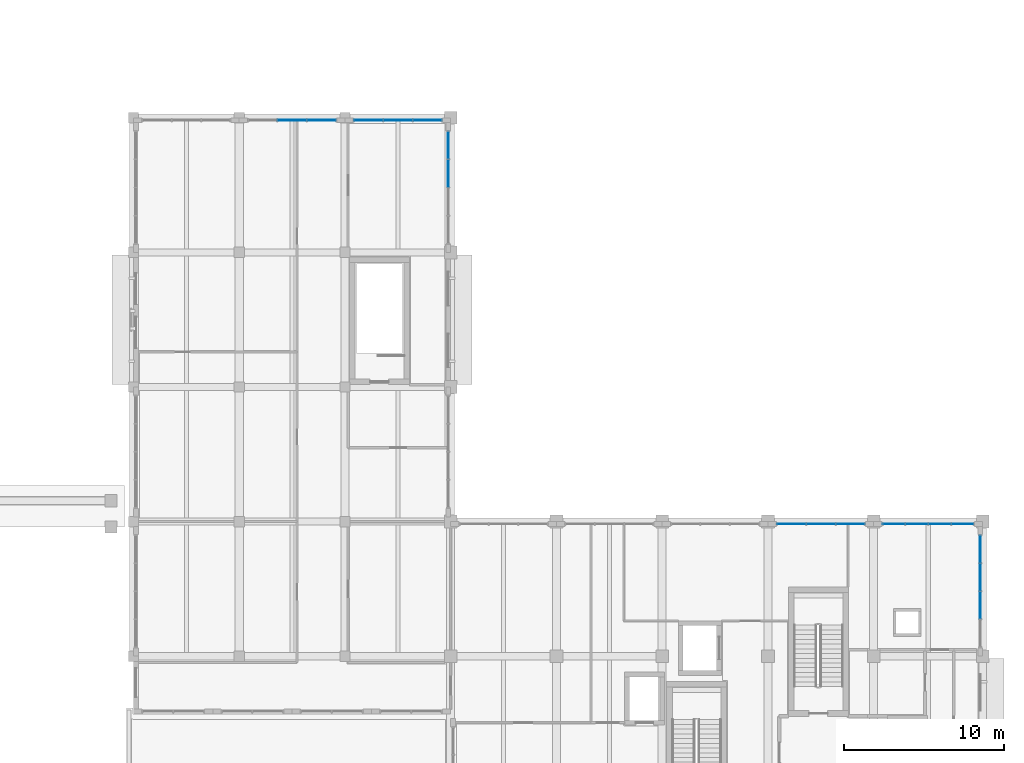
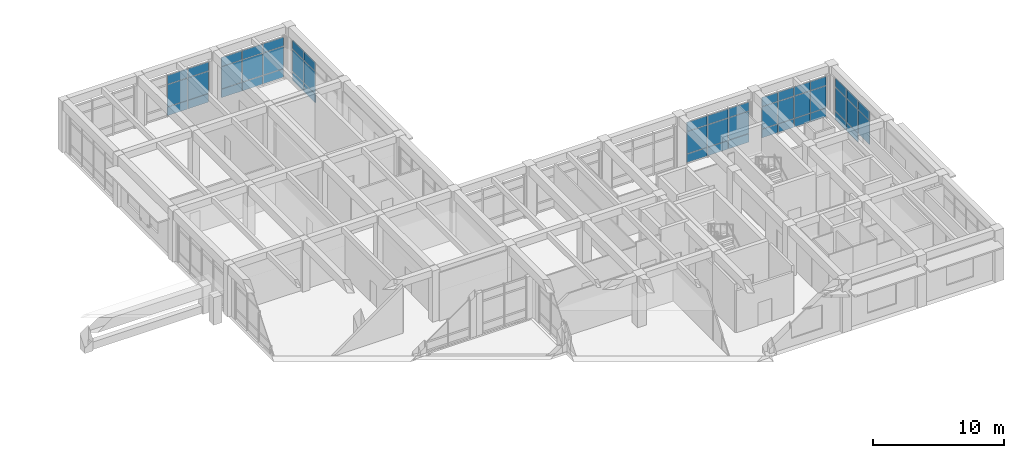
# One storey, part 44 of 79: 50 plates, 6 elements without a shape of their own.
"""IFC4 building model written with IfcOpenShell, lengths in metres."""

from ifc_helpers import new_model, si_unit, direction, frame, origin, origin_2d, place, context, subcontext, project, spatial, rectangle, extrude, material, layer, layer_set, type_object, element, aggregate, save


model = new_model("IFC4")

# Units and contexts
model_context = context("Model", 3, precision=1e-05, world=origin(), true_north=direction((0.0, 1.0)))
body_context = subcontext(model_context, "Body", "Model", "MODEL_VIEW")
ifc_project = project(units=[si_unit("LENGTHUNIT", "METRE"), si_unit("AREAUNIT", "SQUARE_METRE"), si_unit("VOLUMEUNIT", "CUBIC_METRE"), si_unit("PLANEANGLEUNIT", "RADIAN"), si_unit("MASSUNIT", "GRAM", prefix="KILO")], contexts=[model_context])

# Site, building, storey
site_placement = place(None, origin())
site = spatial("IfcSite", under=ifc_project, at=site_placement, CompositionType="ELEMENT")
building_placement = place(site_placement, origin())
building = spatial("IfcBuilding", under=site, at=building_placement, Name="Kolvaren Faculty of Natural Sciences", CompositionType="ELEMENT")
storey_placement = place(building_placement, frame((0.0, 0.0, 10.199951171875)))
storey = spatial("IfcBuildingStorey", under=building, at=storey_placement, Name="L02", CompositionType="ELEMENT", Elevation=10.199951171875)

# Curtain wall, plates
ifc_material_1 = material(Name="Thermally broken anodised aluminium framing", Category="aluminium")
ifc_layer_1 = layer(ifc_material_1, 0.179931640625)
ifc_layer_set_1 = layer_set([ifc_layer_1], Name="Thermally broken anodised aluminium framing")
curtain_wall_type_1 = type_object("IfcCurtainWallType", Name="CommonsCurtainWall_CW02", PredefinedType="NOTDEFINED", material=ifc_layer_set_1)
curtain_wall_1_placement = place(storey_placement, origin())
curtain_wall_1 = element("IfcCurtainWall", 1, at=curtain_wall_1_placement, inside=storey, type_object=curtain_wall_type_1, Name="L02 unitised curtain wall CW-02 (CW-L02-093)", PredefinedType="NOTDEFINED")
ifc_material_2 = material(Name="Double low-E solar control insulated glazing", Category="glass")
ifc_layer_2 = layer(ifc_material_2, 0.035888671875)
ifc_layer_set_2 = layer_set([ifc_layer_2], Name="Double low-E solar control insulated glazing")
plate_type_1 = type_object("IfcPlateType", Name="EnvelopePlate_CWPGL1", PredefinedType="CURTAIN_PANEL", material=ifc_layer_set_2)
plate_1_placement = place(storey_placement, frame((128.89990234375, 109.25, 0.920166015625), z_axis=(0.0, 0.0, 1.0), x_axis=(1.0, 0.0, 0.0)))
plate_1 = element("IfcPlate", 2, at=plate_1_placement, type_object=plate_type_1, Name="CW-L02-093 panel 2 V1", PredefinedType="CURTAIN_PANEL", context=body_context, shape_type="SweptSolid", body=[
    extrude(rectangle(XDim=1.783203125, YDim=0.035888671875, at=origin_2d()), origin(), (0.0, 0.0, 1.0), 2.044921875),
])
plate_2_placement = place(storey_placement, frame((130.7333984375, 109.25, 0.920166015625), z_axis=(0.0, 0.0, 1.0), x_axis=(1.0, 0.0, 0.0)))
plate_2 = element("IfcPlate", 3, at=plate_2_placement, type_object=plate_type_1, Name="CW-L02-093 panel 3 V1", PredefinedType="CURTAIN_PANEL", context=body_context, shape_type="SweptSolid", body=[
    extrude(rectangle(XDim=1.783203125, YDim=0.035888671875, at=origin_2d()), origin(), (0.0, 0.0, 1.0), 2.044921875),
])

curtain_wall_2_placement = place(storey_placement, origin())
curtain_wall_2 = element("IfcCurtainWall", 4, at=curtain_wall_2_placement, inside=storey, type_object=curtain_wall_type_1, Name="L02 unitised curtain wall CW-02 (CW-L02-094)", PredefinedType="NOTDEFINED")
plate_3_placement = place(storey_placement, frame((133.666748046875, 109.25, 0.920166015625), z_axis=(0.0, 0.0, 1.0), x_axis=(1.0, 0.0, 0.0)))
plate_3 = element("IfcPlate", 5, at=plate_3_placement, type_object=plate_type_1, Name="CW-L02-094 panel 1 V1", PredefinedType="CURTAIN_PANEL", context=body_context, shape_type="SweptSolid", body=[
    extrude(rectangle(XDim=1.783203125, YDim=0.035888671875, at=origin_2d()), origin(), (0.0, 0.0, 1.0), 2.044921875),
])
plate_4_placement = place(storey_placement, frame((135.5, 109.25, 0.920166015625), z_axis=(0.0, 0.0, 1.0), x_axis=(1.0, 0.0, 0.0)))
plate_4 = element("IfcPlate", 6, at=plate_4_placement, type_object=plate_type_1, Name="CW-L02-094 panel 2 V1", PredefinedType="CURTAIN_PANEL", context=body_context, shape_type="SweptSolid", body=[
    extrude(rectangle(XDim=1.783203125, YDim=0.035888671875, at=origin_2d()), origin(), (0.0, 0.0, 1.0), 2.044921875),
])
plate_5_placement = place(storey_placement, frame((137.333251953125, 109.25, 0.920166015625), z_axis=(0.0, 0.0, 1.0), x_axis=(1.0, 0.0, 0.0)))
plate_5 = element("IfcPlate", 7, at=plate_5_placement, type_object=plate_type_1, Name="CW-L02-094 panel 3 V1", PredefinedType="CURTAIN_PANEL", context=body_context, shape_type="SweptSolid", body=[
    extrude(rectangle(XDim=1.783203125, YDim=0.035888671875, at=origin_2d()), origin(), (0.0, 0.0, 1.0), 2.044921875),
])

ifc_layer_3 = layer(ifc_material_1, 0.179931640625)
ifc_layer_set_3 = layer_set([ifc_layer_3], Name="Thermally broken anodised aluminium framing")
curtain_wall_type_2 = type_object("IfcCurtainWallType", Name="TowerNorthCurtainWall_CW03", PredefinedType="NOTDEFINED", material=ifc_layer_set_3)
curtain_wall_3_placement = place(storey_placement, origin())
curtain_wall_3 = element("IfcCurtainWall", 8, at=curtain_wall_3_placement, inside=storey, type_object=curtain_wall_type_2, Name="L02 unitised curtain wall CW-03 (CW-L02-095)", PredefinedType="NOTDEFINED")
plate_6_placement = place(storey_placement, frame((138.64990234375, 107.675048828125, 0.920166015625), z_axis=(0.0, 0.0, 1.0), x_axis=(0.0, -1.0, 0.0)))
plate_6 = element("IfcPlate", 9, at=plate_6_placement, type_object=plate_type_1, Name="CW-L02-095 panel 1 V1", PredefinedType="CURTAIN_PANEL", context=body_context, shape_type="SweptSolid", body=[
    extrude(rectangle(XDim=1.699951171875, YDim=0.035888671875, at=origin_2d()), origin(), (0.0, 0.0, 1.0), 2.044921875),
])
plate_7_placement = place(storey_placement, frame((138.64990234375, 105.925048828125, 0.920166015625), z_axis=(0.0, 0.0, 1.0), x_axis=(0.0, -1.0, 0.0)))
plate_7 = element("IfcPlate", 10, at=plate_7_placement, type_object=plate_type_1, Name="CW-L02-095 panel 2 V1", PredefinedType="CURTAIN_PANEL", context=body_context, shape_type="SweptSolid", body=[
    extrude(rectangle(XDim=1.699951171875, YDim=0.035888671875, at=origin_2d()), origin(), (0.0, 0.0, 1.0), 2.044921875),
])

curtain_wall_4_placement = place(storey_placement, origin())
curtain_wall_4 = element("IfcCurtainWall", 11, at=curtain_wall_4_placement, inside=storey, type_object=curtain_wall_type_2, Name="L02 unitised curtain wall CW-03 (CW-L02-100)", PredefinedType="NOTDEFINED")
plate_8_placement = place(storey_placement, frame((160.066650390625, 84.050048828125, 0.920166015625), z_axis=(0.0, 0.0, 1.0), x_axis=(1.0, 0.0, 0.0)))
plate_8 = element("IfcPlate", 12, at=plate_8_placement, type_object=plate_type_1, Name="CW-L02-100 panel 1 V1", PredefinedType="CURTAIN_PANEL", context=body_context, shape_type="SweptSolid", body=[
    extrude(rectangle(XDim=1.783203125, YDim=0.035888671875, at=origin_2d()), origin(), (0.0, 0.0, 1.0), 2.044921875),
])
plate_9_placement = place(storey_placement, frame((161.89990234375, 84.050048828125, 0.920166015625), z_axis=(0.0, 0.0, 1.0), x_axis=(1.0, 0.0, 0.0)))
plate_9 = element("IfcPlate", 13, at=plate_9_placement, type_object=plate_type_1, Name="CW-L02-100 panel 2 V1", PredefinedType="CURTAIN_PANEL", context=body_context, shape_type="SweptSolid", body=[
    extrude(rectangle(XDim=1.783203125, YDim=0.035888671875, at=origin_2d()), origin(), (0.0, 0.0, 1.0), 2.044921875),
])
plate_10_placement = place(storey_placement, frame((163.7333984375, 84.050048828125, 0.920166015625), z_axis=(0.0, 0.0, 1.0), x_axis=(1.0, 0.0, 0.0)))
plate_10 = element("IfcPlate", 14, at=plate_10_placement, type_object=plate_type_1, Name="CW-L02-100 panel 3 V1", PredefinedType="CURTAIN_PANEL", context=body_context, shape_type="SweptSolid", body=[
    extrude(rectangle(XDim=1.783203125, YDim=0.035888671875, at=origin_2d()), origin(), (0.0, 0.0, 1.0), 2.044921875),
])

curtain_wall_5_placement = place(storey_placement, origin())
curtain_wall_5 = element("IfcCurtainWall", 15, at=curtain_wall_5_placement, inside=storey, type_object=curtain_wall_type_2, Name="L02 unitised curtain wall CW-03 (CW-L02-101)", PredefinedType="NOTDEFINED")
plate_11_placement = place(storey_placement, frame((166.46240234375, 84.050048828125, 0.920166015625), z_axis=(0.0, 0.0, 1.0), x_axis=(1.0, 0.0, 0.0)))
plate_11 = element("IfcPlate", 16, at=plate_11_placement, type_object=plate_type_1, Name="CW-L02-101 panel 1 V1", PredefinedType="CURTAIN_PANEL", context=body_context, shape_type="SweptSolid", body=[
    extrude(rectangle(XDim=1.375, YDim=0.035888671875, at=origin_2d()), origin(), (0.0, 0.0, 1.0), 2.044921875),
])
plate_12_placement = place(storey_placement, frame((167.887451171875, 84.050048828125, 0.920166015625), z_axis=(0.0, 0.0, 1.0), x_axis=(1.0, 0.0, 0.0)))
plate_12 = element("IfcPlate", 17, at=plate_12_placement, type_object=plate_type_1, Name="CW-L02-101 panel 2 V1", PredefinedType="CURTAIN_PANEL", context=body_context, shape_type="SweptSolid", body=[
    extrude(rectangle(XDim=1.375, YDim=0.035888671875, at=origin_2d()), origin(), (0.0, 0.0, 1.0), 2.044921875),
])
plate_13_placement = place(storey_placement, frame((169.3125, 84.050048828125, 0.920166015625), z_axis=(0.0, 0.0, 1.0), x_axis=(1.0, 0.0, 0.0)))
plate_13 = element("IfcPlate", 18, at=plate_13_placement, type_object=plate_type_1, Name="CW-L02-101 panel 3 V1", PredefinedType="CURTAIN_PANEL", context=body_context, shape_type="SweptSolid", body=[
    extrude(rectangle(XDim=1.375, YDim=0.035888671875, at=origin_2d()), origin(), (0.0, 0.0, 1.0), 2.044921875),
])
plate_14_placement = place(storey_placement, frame((170.737548828125, 84.050048828125, 0.920166015625), z_axis=(0.0, 0.0, 1.0), x_axis=(1.0, 0.0, 0.0)))
plate_14 = element("IfcPlate", 19, at=plate_14_placement, type_object=plate_type_1, Name="CW-L02-101 panel 4 V1", PredefinedType="CURTAIN_PANEL", context=body_context, shape_type="SweptSolid", body=[
    extrude(rectangle(XDim=1.375, YDim=0.035888671875, at=origin_2d()), origin(), (0.0, 0.0, 1.0), 2.044921875),
])

curtain_wall_6_placement = place(storey_placement, origin())
curtain_wall_6 = element("IfcCurtainWall", 20, at=curtain_wall_6_placement, inside=storey, type_object=curtain_wall_type_2, Name="L02 unitised curtain wall CW-03 (CW-L02-102)", PredefinedType="NOTDEFINED")
plate_15_placement = place(storey_placement, frame((171.85009765625, 82.47509765625, 0.919921875), z_axis=(0.0, 0.0, 1.0), x_axis=(0.0, -1.0, 0.0)))
plate_15 = element("IfcPlate", 21, at=plate_15_placement, type_object=plate_type_1, Name="CW-L02-102 panel 1 V1", PredefinedType="CURTAIN_PANEL", context=body_context, shape_type="SweptSolid", body=[
    extrude(rectangle(XDim=1.699951171875, YDim=0.035888671875, at=origin_2d()), origin(), (0.0, 0.0, 1.0), 2.195068359375),
])
plate_16_placement = place(storey_placement, frame((171.85009765625, 80.72509765625, 0.919921875), z_axis=(0.0, 0.0, 1.0), x_axis=(0.0, -1.0, 0.0)))
plate_16 = element("IfcPlate", 22, at=plate_16_placement, type_object=plate_type_1, Name="CW-L02-102 panel 2 V1", PredefinedType="CURTAIN_PANEL", context=body_context, shape_type="SweptSolid", body=[
    extrude(rectangle(XDim=1.699951171875, YDim=0.035888671875, at=origin_2d()), origin(), (0.0, 0.0, 1.0), 2.195068359375),
])
plate_17_placement = place(storey_placement, frame((171.85009765625, 78.97509765625, 0.919921875), z_axis=(0.0, 0.0, 1.0), x_axis=(0.0, -1.0, 0.0)))
plate_17 = element("IfcPlate", 23, at=plate_17_placement, type_object=plate_type_1, Name="CW-L02-102 panel 3 V1", PredefinedType="CURTAIN_PANEL", context=body_context, shape_type="SweptSolid", body=[
    extrude(rectangle(XDim=1.699951171875, YDim=0.035888671875, at=origin_2d()), origin(), (0.0, 0.0, 1.0), 2.195068359375),
])

# Plate
ifc_layer_4 = layer(ifc_material_2, 0.035888671875)
ifc_layer_set_4 = layer_set([ifc_layer_4], Name="Double low-E solar control insulated glazing")
plate_type_2 = type_object("IfcPlateType", Name="EnvelopePlate_CWPGL2", PredefinedType="CURTAIN_PANEL", material=ifc_layer_set_4)
plate_18_placement = place(storey_placement, frame((128.89990234375, 109.25, 3.005126953125), z_axis=(0.0, 0.0, 1.0), x_axis=(1.0, 0.0, 0.0)))
plate_18 = element("IfcPlate", 24, at=plate_18_placement, type_object=plate_type_2, Name="CW-L02-093 panel 2 V2", PredefinedType="CURTAIN_PANEL", context=body_context, shape_type="SweptSolid", body=[
    extrude(rectangle(XDim=1.783203125, YDim=0.035888671875, at=origin_2d()), origin(), (0.0, 0.0, 1.0), 0.830078125),
])

plate_19_placement = place(storey_placement, frame((130.7333984375, 109.25, 3.005126953125), z_axis=(0.0, 0.0, 1.0), x_axis=(1.0, 0.0, 0.0)))
plate_19 = element("IfcPlate", 25, at=plate_19_placement, type_object=plate_type_2, Name="CW-L02-093 panel 3 V2", PredefinedType="CURTAIN_PANEL", context=body_context, shape_type="SweptSolid", body=[
    extrude(rectangle(XDim=1.783203125, YDim=0.035888671875, at=origin_2d()), origin(), (0.0, 0.0, 1.0), 0.830078125),
])

plate_20_placement = place(storey_placement, frame((133.666748046875, 109.25, 3.005126953125), z_axis=(0.0, 0.0, 1.0), x_axis=(1.0, 0.0, 0.0)))
plate_20 = element("IfcPlate", 26, at=plate_20_placement, type_object=plate_type_2, Name="CW-L02-094 panel 1 V2", PredefinedType="CURTAIN_PANEL", context=body_context, shape_type="SweptSolid", body=[
    extrude(rectangle(XDim=1.783203125, YDim=0.035888671875, at=origin_2d()), origin(), (0.0, 0.0, 1.0), 0.830078125),
])

plate_21_placement = place(storey_placement, frame((135.5, 109.25, 3.005126953125), z_axis=(0.0, 0.0, 1.0), x_axis=(1.0, 0.0, 0.0)))
plate_21 = element("IfcPlate", 27, at=plate_21_placement, type_object=plate_type_2, Name="CW-L02-094 panel 2 V2", PredefinedType="CURTAIN_PANEL", context=body_context, shape_type="SweptSolid", body=[
    extrude(rectangle(XDim=1.783203125, YDim=0.035888671875, at=origin_2d()), origin(), (0.0, 0.0, 1.0), 0.830078125),
])

plate_22_placement = place(storey_placement, frame((137.333251953125, 109.25, 3.005126953125), z_axis=(0.0, 0.0, 1.0), x_axis=(1.0, 0.0, 0.0)))
plate_22 = element("IfcPlate", 28, at=plate_22_placement, type_object=plate_type_2, Name="CW-L02-094 panel 3 V2", PredefinedType="CURTAIN_PANEL", context=body_context, shape_type="SweptSolid", body=[
    extrude(rectangle(XDim=1.783203125, YDim=0.035888671875, at=origin_2d()), origin(), (0.0, 0.0, 1.0), 0.830078125),
])

plate_23_placement = place(storey_placement, frame((138.64990234375, 107.675048828125, 3.005126953125), z_axis=(0.0, 0.0, 1.0), x_axis=(0.0, -1.0, 0.0)))
plate_23 = element("IfcPlate", 29, at=plate_23_placement, type_object=plate_type_2, Name="CW-L02-095 panel 1 V2", PredefinedType="CURTAIN_PANEL", context=body_context, shape_type="SweptSolid", body=[
    extrude(rectangle(XDim=1.699951171875, YDim=0.035888671875, at=origin_2d()), origin(), (0.0, 0.0, 1.0), 0.830078125),
])

plate_24_placement = place(storey_placement, frame((138.64990234375, 105.925048828125, 3.005126953125), z_axis=(0.0, 0.0, 1.0), x_axis=(0.0, -1.0, 0.0)))
plate_24 = element("IfcPlate", 30, at=plate_24_placement, type_object=plate_type_2, Name="CW-L02-095 panel 2 V2", PredefinedType="CURTAIN_PANEL", context=body_context, shape_type="SweptSolid", body=[
    extrude(rectangle(XDim=1.699951171875, YDim=0.035888671875, at=origin_2d()), origin(), (0.0, 0.0, 1.0), 0.830078125),
])

plate_25_placement = place(storey_placement, frame((160.066650390625, 84.050048828125, 3.005126953125), z_axis=(0.0, 0.0, 1.0), x_axis=(1.0, 0.0, 0.0)))
plate_25 = element("IfcPlate", 31, at=plate_25_placement, type_object=plate_type_2, Name="CW-L02-100 panel 1 V2", PredefinedType="CURTAIN_PANEL", context=body_context, shape_type="SweptSolid", body=[
    extrude(rectangle(XDim=1.783203125, YDim=0.035888671875, at=origin_2d()), origin(), (0.0, 0.0, 1.0), 0.830078125),
])

plate_26_placement = place(storey_placement, frame((161.89990234375, 84.050048828125, 3.005126953125), z_axis=(0.0, 0.0, 1.0), x_axis=(1.0, 0.0, 0.0)))
plate_26 = element("IfcPlate", 32, at=plate_26_placement, type_object=plate_type_2, Name="CW-L02-100 panel 2 V2", PredefinedType="CURTAIN_PANEL", context=body_context, shape_type="SweptSolid", body=[
    extrude(rectangle(XDim=1.783203125, YDim=0.035888671875, at=origin_2d()), origin(), (0.0, 0.0, 1.0), 0.830078125),
])

plate_27_placement = place(storey_placement, frame((163.7333984375, 84.050048828125, 3.005126953125), z_axis=(0.0, 0.0, 1.0), x_axis=(1.0, 0.0, 0.0)))
plate_27 = element("IfcPlate", 33, at=plate_27_placement, type_object=plate_type_2, Name="CW-L02-100 panel 3 V2", PredefinedType="CURTAIN_PANEL", context=body_context, shape_type="SweptSolid", body=[
    extrude(rectangle(XDim=1.783203125, YDim=0.035888671875, at=origin_2d()), origin(), (0.0, 0.0, 1.0), 0.830078125),
])

plate_28_placement = place(storey_placement, frame((166.46240234375, 84.050048828125, 3.005126953125), z_axis=(0.0, 0.0, 1.0), x_axis=(1.0, 0.0, 0.0)))
plate_28 = element("IfcPlate", 34, at=plate_28_placement, type_object=plate_type_2, Name="CW-L02-101 panel 1 V2", PredefinedType="CURTAIN_PANEL", context=body_context, shape_type="SweptSolid", body=[
    extrude(rectangle(XDim=1.375, YDim=0.035888671875, at=origin_2d()), origin(), (0.0, 0.0, 1.0), 0.830078125),
])

plate_29_placement = place(storey_placement, frame((167.887451171875, 84.050048828125, 3.005126953125), z_axis=(0.0, 0.0, 1.0), x_axis=(1.0, 0.0, 0.0)))
plate_29 = element("IfcPlate", 35, at=plate_29_placement, type_object=plate_type_2, Name="CW-L02-101 panel 2 V2", PredefinedType="CURTAIN_PANEL", context=body_context, shape_type="SweptSolid", body=[
    extrude(rectangle(XDim=1.375, YDim=0.035888671875, at=origin_2d()), origin(), (0.0, 0.0, 1.0), 0.830078125),
])

plate_30_placement = place(storey_placement, frame((169.3125, 84.050048828125, 3.005126953125), z_axis=(0.0, 0.0, 1.0), x_axis=(1.0, 0.0, 0.0)))
plate_30 = element("IfcPlate", 36, at=plate_30_placement, type_object=plate_type_2, Name="CW-L02-101 panel 3 V2", PredefinedType="CURTAIN_PANEL", context=body_context, shape_type="SweptSolid", body=[
    extrude(rectangle(XDim=1.375, YDim=0.035888671875, at=origin_2d()), origin(), (0.0, 0.0, 1.0), 0.830078125),
])

plate_31_placement = place(storey_placement, frame((170.737548828125, 84.050048828125, 3.005126953125), z_axis=(0.0, 0.0, 1.0), x_axis=(1.0, 0.0, 0.0)))
plate_31 = element("IfcPlate", 37, at=plate_31_placement, type_object=plate_type_2, Name="CW-L02-101 panel 4 V2", PredefinedType="CURTAIN_PANEL", context=body_context, shape_type="SweptSolid", body=[
    extrude(rectangle(XDim=1.375, YDim=0.035888671875, at=origin_2d()), origin(), (0.0, 0.0, 1.0), 0.830078125),
])

plate_32_placement = place(storey_placement, frame((171.85009765625, 82.47509765625, 3.155029296875), z_axis=(0.0, 0.0, 1.0), x_axis=(0.0, -1.0, 0.0)))
plate_32 = element("IfcPlate", 38, at=plate_32_placement, type_object=plate_type_2, Name="CW-L02-102 panel 1 V2", PredefinedType="CURTAIN_PANEL", context=body_context, shape_type="SweptSolid", body=[
    extrude(rectangle(XDim=1.699951171875, YDim=0.035888671875, at=origin_2d()), origin(), (0.0, 0.0, 1.0), 0.830078125),
])

plate_33_placement = place(storey_placement, frame((171.85009765625, 80.72509765625, 3.155029296875), z_axis=(0.0, 0.0, 1.0), x_axis=(0.0, -1.0, 0.0)))
plate_33 = element("IfcPlate", 39, at=plate_33_placement, type_object=plate_type_2, Name="CW-L02-102 panel 2 V2", PredefinedType="CURTAIN_PANEL", context=body_context, shape_type="SweptSolid", body=[
    extrude(rectangle(XDim=1.699951171875, YDim=0.035888671875, at=origin_2d()), origin(), (0.0, 0.0, 1.0), 0.830078125),
])

plate_34_placement = place(storey_placement, frame((171.85009765625, 78.97509765625, 3.155029296875), z_axis=(0.0, 0.0, 1.0), x_axis=(0.0, -1.0, 0.0)))
plate_34 = element("IfcPlate", 40, at=plate_34_placement, type_object=plate_type_2, Name="CW-L02-102 panel 3 V2", PredefinedType="CURTAIN_PANEL", context=body_context, shape_type="SweptSolid", body=[
    extrude(rectangle(XDim=1.699951171875, YDim=0.035888671875, at=origin_2d()), origin(), (0.0, 0.0, 1.0), 0.830078125),
])

ifc_material_3 = material(Name="Insulated anodised aluminium spandrel panel", Category="aluminium")
ifc_layer_5 = layer(ifc_material_3, 0.050048828125)
ifc_layer_set_5 = layer_set([ifc_layer_5], Name="Insulated anodised aluminium spandrel panel")
plate_type_3 = type_object("IfcPlateType", Name="EnvelopePlate_CWPSP1", PredefinedType="SHEET", material=ifc_layer_set_5)
plate_35_placement = place(storey_placement, frame((128.89990234375, 109.25, 0.10009765625), z_axis=(0.0, 0.0, 1.0), x_axis=(1.0, 0.0, 0.0)))
plate_35 = element("IfcPlate", 41, at=plate_35_placement, type_object=plate_type_3, Name="CW-L02-093 panel 2 SP", PredefinedType="SHEET", context=body_context, shape_type="SweptSolid", body=[
    extrude(rectangle(XDim=1.783203125, YDim=0.050048828125, at=origin_2d()), origin(), (0.0, 0.0, 1.0), 0.780029296875),
])

plate_36_placement = place(storey_placement, frame((130.7333984375, 109.25, 0.10009765625), z_axis=(0.0, 0.0, 1.0), x_axis=(1.0, 0.0, 0.0)))
plate_36 = element("IfcPlate", 42, at=plate_36_placement, type_object=plate_type_3, Name="CW-L02-093 panel 3 SP", PredefinedType="SHEET", context=body_context, shape_type="SweptSolid", body=[
    extrude(rectangle(XDim=1.783203125, YDim=0.050048828125, at=origin_2d()), origin(), (0.0, 0.0, 1.0), 0.780029296875),
])

aggregate(curtain_wall_1, [plate_35, plate_1, plate_18, plate_36, plate_2, plate_19])

plate_37_placement = place(storey_placement, frame((133.666748046875, 109.25, 0.10009765625), z_axis=(0.0, 0.0, 1.0), x_axis=(1.0, 0.0, 0.0)))
plate_37 = element("IfcPlate", 43, at=plate_37_placement, type_object=plate_type_3, Name="CW-L02-094 panel 1 SP", PredefinedType="SHEET", context=body_context, shape_type="SweptSolid", body=[
    extrude(rectangle(XDim=1.783203125, YDim=0.050048828125, at=origin_2d()), origin(), (0.0, 0.0, 1.0), 0.780029296875),
])

plate_38_placement = place(storey_placement, frame((135.5, 109.25, 0.10009765625), z_axis=(0.0, 0.0, 1.0), x_axis=(1.0, 0.0, 0.0)))
plate_38 = element("IfcPlate", 44, at=plate_38_placement, type_object=plate_type_3, Name="CW-L02-094 panel 2 SP", PredefinedType="SHEET", context=body_context, shape_type="SweptSolid", body=[
    extrude(rectangle(XDim=1.783203125, YDim=0.050048828125, at=origin_2d()), origin(), (0.0, 0.0, 1.0), 0.780029296875),
])

plate_39_placement = place(storey_placement, frame((137.333251953125, 109.25, 0.10009765625), z_axis=(0.0, 0.0, 1.0), x_axis=(1.0, 0.0, 0.0)))
plate_39 = element("IfcPlate", 45, at=plate_39_placement, type_object=plate_type_3, Name="CW-L02-094 panel 3 SP", PredefinedType="SHEET", context=body_context, shape_type="SweptSolid", body=[
    extrude(rectangle(XDim=1.783203125, YDim=0.050048828125, at=origin_2d()), origin(), (0.0, 0.0, 1.0), 0.780029296875),
])

aggregate(curtain_wall_2, [plate_37, plate_3, plate_20, plate_38, plate_4, plate_21, plate_39, plate_5, plate_22])

plate_40_placement = place(storey_placement, frame((138.64990234375, 107.675048828125, 0.10009765625), z_axis=(0.0, 0.0, 1.0), x_axis=(0.0, -1.0, 0.0)))
plate_40 = element("IfcPlate", 46, at=plate_40_placement, type_object=plate_type_3, Name="CW-L02-095 panel 1 SP", PredefinedType="SHEET", context=body_context, shape_type="SweptSolid", body=[
    extrude(rectangle(XDim=1.699951171875, YDim=0.050048828125, at=origin_2d()), origin(), (0.0, 0.0, 1.0), 0.780029296875),
])

plate_41_placement = place(storey_placement, frame((138.64990234375, 105.925048828125, 0.10009765625), z_axis=(0.0, 0.0, 1.0), x_axis=(0.0, -1.0, 0.0)))
plate_41 = element("IfcPlate", 47, at=plate_41_placement, type_object=plate_type_3, Name="CW-L02-095 panel 2 SP", PredefinedType="SHEET", context=body_context, shape_type="SweptSolid", body=[
    extrude(rectangle(XDim=1.699951171875, YDim=0.050048828125, at=origin_2d()), origin(), (0.0, 0.0, 1.0), 0.780029296875),
])

aggregate(curtain_wall_3, [plate_40, plate_6, plate_23, plate_41, plate_7, plate_24])

plate_42_placement = place(storey_placement, frame((160.066650390625, 84.050048828125, 0.10009765625), z_axis=(0.0, 0.0, 1.0), x_axis=(1.0, 0.0, 0.0)))
plate_42 = element("IfcPlate", 48, at=plate_42_placement, type_object=plate_type_3, Name="CW-L02-100 panel 1 SP", PredefinedType="SHEET", context=body_context, shape_type="SweptSolid", body=[
    extrude(rectangle(XDim=1.783203125, YDim=0.050048828125, at=origin_2d()), origin(), (0.0, 0.0, 1.0), 0.780029296875),
])

plate_43_placement = place(storey_placement, frame((161.89990234375, 84.050048828125, 0.10009765625), z_axis=(0.0, 0.0, 1.0), x_axis=(1.0, 0.0, 0.0)))
plate_43 = element("IfcPlate", 49, at=plate_43_placement, type_object=plate_type_3, Name="CW-L02-100 panel 2 SP", PredefinedType="SHEET", context=body_context, shape_type="SweptSolid", body=[
    extrude(rectangle(XDim=1.783203125, YDim=0.050048828125, at=origin_2d()), origin(), (0.0, 0.0, 1.0), 0.780029296875),
])

plate_44_placement = place(storey_placement, frame((163.7333984375, 84.050048828125, 0.10009765625), z_axis=(0.0, 0.0, 1.0), x_axis=(1.0, 0.0, 0.0)))
plate_44 = element("IfcPlate", 50, at=plate_44_placement, type_object=plate_type_3, Name="CW-L02-100 panel 3 SP", PredefinedType="SHEET", context=body_context, shape_type="SweptSolid", body=[
    extrude(rectangle(XDim=1.783203125, YDim=0.050048828125, at=origin_2d()), origin(), (0.0, 0.0, 1.0), 0.780029296875),
])

aggregate(curtain_wall_4, [plate_42, plate_8, plate_25, plate_43, plate_9, plate_26, plate_44, plate_10, plate_27])

plate_45_placement = place(storey_placement, frame((166.46240234375, 84.050048828125, 0.10009765625), z_axis=(0.0, 0.0, 1.0), x_axis=(1.0, 0.0, 0.0)))
plate_45 = element("IfcPlate", 51, at=plate_45_placement, type_object=plate_type_3, Name="CW-L02-101 panel 1 SP", PredefinedType="SHEET", context=body_context, shape_type="SweptSolid", body=[
    extrude(rectangle(XDim=1.375, YDim=0.050048828125, at=origin_2d()), origin(), (0.0, 0.0, 1.0), 0.780029296875),
])

plate_46_placement = place(storey_placement, frame((167.887451171875, 84.050048828125, 0.10009765625), z_axis=(0.0, 0.0, 1.0), x_axis=(1.0, 0.0, 0.0)))
plate_46 = element("IfcPlate", 52, at=plate_46_placement, type_object=plate_type_3, Name="CW-L02-101 panel 2 SP", PredefinedType="SHEET", context=body_context, shape_type="SweptSolid", body=[
    extrude(rectangle(XDim=1.375, YDim=0.050048828125, at=origin_2d()), origin(), (0.0, 0.0, 1.0), 0.780029296875),
])

plate_47_placement = place(storey_placement, frame((169.3125, 84.050048828125, 0.10009765625), z_axis=(0.0, 0.0, 1.0), x_axis=(1.0, 0.0, 0.0)))
plate_47 = element("IfcPlate", 53, at=plate_47_placement, type_object=plate_type_3, Name="CW-L02-101 panel 3 SP", PredefinedType="SHEET", context=body_context, shape_type="SweptSolid", body=[
    extrude(rectangle(XDim=1.375, YDim=0.050048828125, at=origin_2d()), origin(), (0.0, 0.0, 1.0), 0.780029296875),
])

plate_48_placement = place(storey_placement, frame((170.737548828125, 84.050048828125, 0.10009765625), z_axis=(0.0, 0.0, 1.0), x_axis=(1.0, 0.0, 0.0)))
plate_48 = element("IfcPlate", 54, at=plate_48_placement, type_object=plate_type_3, Name="CW-L02-101 panel 4 SP", PredefinedType="SHEET", context=body_context, shape_type="SweptSolid", body=[
    extrude(rectangle(XDim=1.375, YDim=0.050048828125, at=origin_2d()), origin(), (0.0, 0.0, 1.0), 0.780029296875),
])

aggregate(curtain_wall_5, [plate_45, plate_11, plate_28, plate_46, plate_12, plate_29, plate_47, plate_13, plate_30, plate_48, plate_14, plate_31])

plate_49_placement = place(storey_placement, frame((171.85009765625, 82.47509765625, 0.10009765625), z_axis=(0.0, 0.0, 1.0), x_axis=(0.0, -1.0, 0.0)))
plate_49 = element("IfcPlate", 55, at=plate_49_placement, type_object=plate_type_3, Name="CW-L02-102 panel 1 SP", PredefinedType="SHEET", context=body_context, shape_type="SweptSolid", body=[
    extrude(rectangle(XDim=1.699951171875, YDim=0.050048828125, at=origin_2d()), origin(), (0.0, 0.0, 1.0), 0.780029296875),
])

plate_50_placement = place(storey_placement, frame((171.85009765625, 80.72509765625, 0.10009765625), z_axis=(0.0, 0.0, 1.0), x_axis=(0.0, -1.0, 0.0)))
plate_50 = element("IfcPlate", 56, at=plate_50_placement, type_object=plate_type_3, Name="CW-L02-102 panel 2 SP", PredefinedType="SHEET", context=body_context, shape_type="SweptSolid", body=[
    extrude(rectangle(XDim=1.699951171875, YDim=0.050048828125, at=origin_2d()), origin(), (0.0, 0.0, 1.0), 0.780029296875),
])

aggregate(curtain_wall_6, [plate_49, plate_15, plate_32, plate_50, plate_16, plate_33, plate_17, plate_34])

save(model, "model.ifc")
